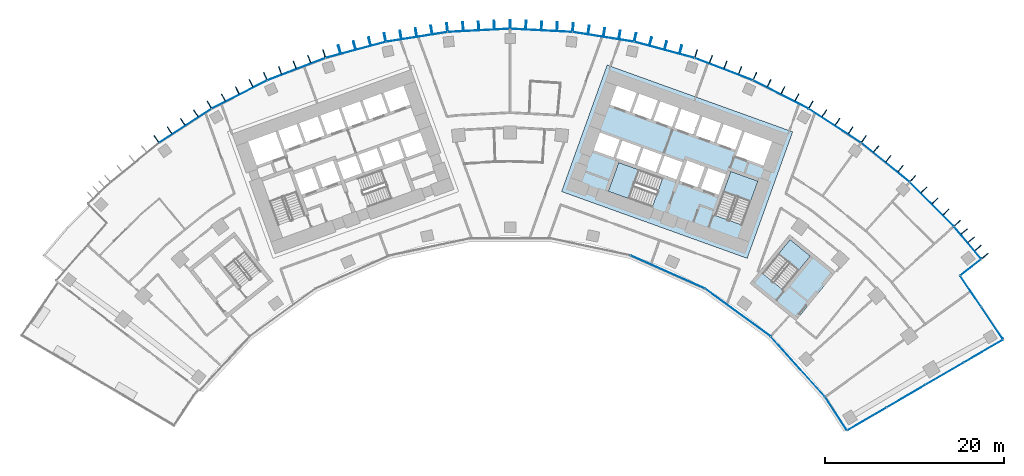
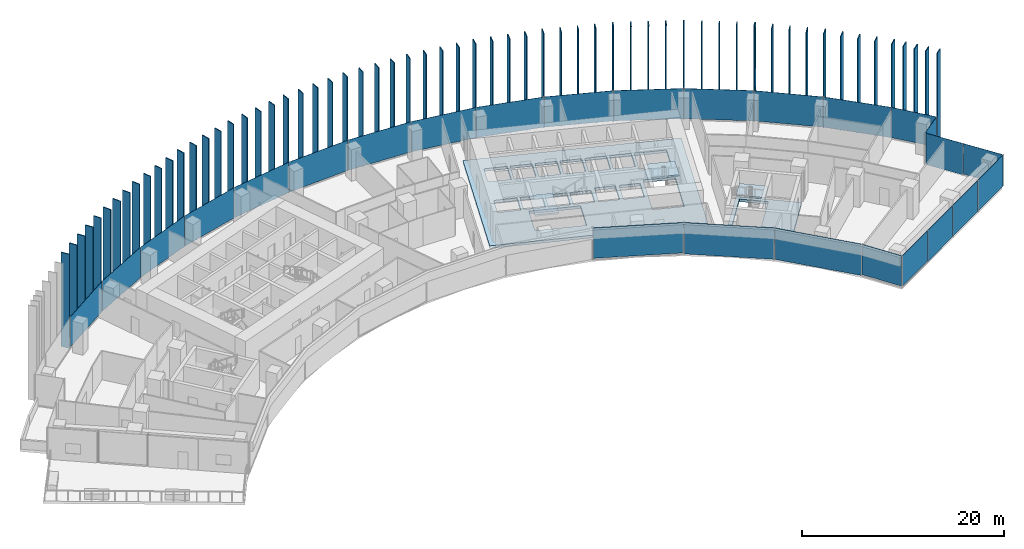
# One storey, part 13 of 21: 87 plates, 5 slabs, 8 elements without a shape of their own.
"""IFC4 building model written with IfcOpenShell, lengths in metres."""

from ifc_helpers import new_model, si_unit, direction, frame, origin, origin_2d, place, context, subcontext, project, spatial, polyline, rectangle, outline, extrude, material, layer, layer_set, type_object, element, aggregate, save


model = new_model("IFC4")

# Units and contexts
model_context = context("Model", 3, precision=1e-05, world=origin(), true_north=direction((0.0, 1.0)))
body_context = subcontext(model_context, "Body", "Model", "MODEL_VIEW")
ifc_project = project(units=[si_unit("LENGTHUNIT", "METRE"), si_unit("AREAUNIT", "SQUARE_METRE"), si_unit("VOLUMEUNIT", "CUBIC_METRE"), si_unit("PLANEANGLEUNIT", "RADIAN"), si_unit("MASSUNIT", "GRAM", prefix="KILO")], contexts=[model_context])

# Site, building, storey
site_placement = place(None, origin())
site = spatial("IfcSite", under=ifc_project, at=site_placement, CompositionType="ELEMENT")
building_placement = place(site_placement, origin())
building = spatial("IfcBuilding", under=site, at=building_placement, Name="Stone Belt Terrace Tower", CompositionType="ELEMENT")
storey_placement = place(building_placement, frame((0.0, 0.0, 87.0)))
storey = spatial("IfcBuildingStorey", under=building, at=storey_placement, Name="L20", CompositionType="ELEMENT", Elevation=87.0)

# Curtain wall, plates
ifc_material_1 = material(Name="Aluminium 6063-T6 anodised frame", Category="aluminium")
ifc_layer_1 = layer(ifc_material_1, 0.14990234375)
ifc_layer_set_1 = layer_set([ifc_layer_1], Name="CW-A unitised convex-face curtain wall")
curtain_wall_type_1 = type_object("IfcCurtainWallType", Name="CW-A unitised convex-face curtain wall", PredefinedType="NOTDEFINED", material=ifc_layer_set_1)
curtain_wall_1_placement = place(storey_placement, origin())
curtain_wall_1 = element("IfcCurtainWall", 1, at=curtain_wall_1_placement, inside=storey, type_object=curtain_wall_type_1, Name="CW-A convex face L20", PredefinedType="NOTDEFINED")
ifc_material_2 = material(Name="Clear double glazed unit")
ifc_layer_2 = layer(ifc_material_2, 0.031982421875)
ifc_layer_set_2 = layer_set([ifc_layer_2], Name="CW-A glass panel 32")
plate_type_1 = type_object("IfcPlateType", Name="CW-A glass panel 32", PredefinedType="CURTAIN_PANEL", material=ifc_layer_set_2)
plate_1_placement = place(storey_placement, frame((50.993896484375, 42.73583984375, 0.14013671875), z_axis=(0.0, 0.0, 1.0), x_axis=(-0.642509184121, 0.766277983711, 0.0)))
plate_1 = element("IfcPlate", 2, at=plate_1_placement, type_object=plate_type_1, Name="CW-A panel 1.1", PredefinedType="CURTAIN_PANEL", context=body_context, shape_type="SweptSolid", body=[
    extrude(rectangle(XDim=4.662841796875, YDim=0.031982421875, at=origin_2d()), origin(), (0.0, 0.0, 1.0), 3.659912109375),
])
plate_2_placement = place(storey_placement, frame((47.01123046875, 47.01123046875, 0.14013671875), z_axis=(0.0, 0.0, 1.0), x_axis=(-0.707106781187, 0.707106781187, 0.0)))
plate_2 = element("IfcPlate", 3, at=plate_2_placement, type_object=plate_type_1, Name="CW-A panel 2.1", PredefinedType="CURTAIN_PANEL", context=body_context, shape_type="SweptSolid", body=[
    extrude(rectangle(XDim=6.90087890625, YDim=0.031982421875, at=origin_2d()), origin(), (0.0, 0.0, 1.0), 3.659912109375),
])
plate_3_placement = place(storey_placement, frame((41.839599609375, 51.667724609375, 0.14013671875), z_axis=(0.0, 0.0, 1.0), x_axis=(-0.777145961457, 0.62932039105, 0.0)))
plate_3 = element("IfcPlate", 4, at=plate_3_placement, type_object=plate_type_1, Name="CW-A panel 3.1", PredefinedType="CURTAIN_PANEL", context=body_context, shape_type="SweptSolid", body=[
    extrude(rectangle(XDim=6.90087890625, YDim=0.031982421875, at=origin_2d()), origin(), (0.0, 0.0, 1.0), 3.659912109375),
])
plate_4_placement = place(storey_placement, frame((36.209716796875, 55.758056640625, 0.14013671875), z_axis=(0.0, 0.0, 1.0), x_axis=(-0.838670567945, 0.544639035015, 0.0)))
plate_4 = element("IfcPlate", 5, at=plate_4_placement, type_object=plate_type_1, Name="CW-A panel 4.1", PredefinedType="CURTAIN_PANEL", context=body_context, shape_type="SweptSolid", body=[
    extrude(rectangle(XDim=6.90087890625, YDim=0.031982421875, at=origin_2d()), origin(), (0.0, 0.0, 1.0), 3.659912109375),
])
plate_5_placement = place(storey_placement, frame((30.18310546875, 59.237548828125, 0.14013671875), z_axis=(0.0, 0.0, 1.0), x_axis=(-0.891006524188, 0.45399049974, 0.0)))
plate_5 = element("IfcPlate", 6, at=plate_5_placement, type_object=plate_type_1, Name="CW-A panel 5.1", PredefinedType="CURTAIN_PANEL", context=body_context, shape_type="SweptSolid", body=[
    extrude(rectangle(XDim=6.90087890625, YDim=0.031982421875, at=origin_2d()), origin(), (0.0, 0.0, 1.0), 3.659912109375),
])
plate_6_placement = place(storey_placement, frame((23.82568359375, 62.068115234375, 0.14013671875), z_axis=(0.0, 0.0, 1.0), x_axis=(-0.933580426497, 0.358367949545, 0.0)))
plate_6 = element("IfcPlate", 7, at=plate_6_placement, type_object=plate_type_1, Name="CW-A panel 6.1", PredefinedType="CURTAIN_PANEL", context=body_context, shape_type="SweptSolid", body=[
    extrude(rectangle(XDim=6.90087890625, YDim=0.031982421875, at=origin_2d()), origin(), (0.0, 0.0, 1.0), 3.659912109375),
])
plate_7_placement = place(storey_placement, frame((17.207275390625, 64.218505859375, 0.14013671875), z_axis=(0.0, 0.0, 1.0), x_axis=(-0.965925826289, 0.258819045103, 0.0)))
plate_7 = element("IfcPlate", 8, at=plate_7_placement, type_object=plate_type_1, Name="CW-A panel 7.1", PredefinedType="CURTAIN_PANEL", context=body_context, shape_type="SweptSolid", body=[
    extrude(rectangle(XDim=6.90087890625, YDim=0.031982421875, at=origin_2d()), origin(), (0.0, 0.0, 1.0), 3.659912109375),
])
plate_8_placement = place(storey_placement, frame((10.400390625, 65.665283203125, 0.14013671875), z_axis=(0.0, 0.0, 1.0), x_axis=(-0.987688340595, 0.15643446504, 0.0)))
plate_8 = element("IfcPlate", 9, at=plate_8_placement, type_object=plate_type_1, Name="CW-A panel 8.1", PredefinedType="CURTAIN_PANEL", context=body_context, shape_type="SweptSolid", body=[
    extrude(rectangle(XDim=6.90087890625, YDim=0.031982421875, at=origin_2d()), origin(), (0.0, 0.0, 1.0), 3.659912109375),
])
plate_9_placement = place(storey_placement, frame((3.4794921875, 66.392822265625, 0.14013671875), z_axis=(0.0, 0.0, 1.0), x_axis=(-0.998629534755, 0.052335956243, 0.0)))
plate_9 = element("IfcPlate", 10, at=plate_9_placement, type_object=plate_type_1, Name="CW-A panel 9.1", PredefinedType="CURTAIN_PANEL", context=body_context, shape_type="SweptSolid", body=[
    extrude(rectangle(XDim=6.90087890625, YDim=0.031982421875, at=origin_2d()), origin(), (0.0, 0.0, 1.0), 3.659912109375),
])
plate_10_placement = place(storey_placement, frame((-3.4794921875, 66.392822265625, 0.14013671875), z_axis=(0.0, 0.0, 1.0), x_axis=(-0.998629534755, -0.052335956243, 0.0)))
plate_10 = element("IfcPlate", 11, at=plate_10_placement, type_object=plate_type_1, Name="CW-A panel 10.1", PredefinedType="CURTAIN_PANEL", context=body_context, shape_type="SweptSolid", body=[
    extrude(rectangle(XDim=6.90087890625, YDim=0.031982421875, at=origin_2d()), origin(), (0.0, 0.0, 1.0), 3.659912109375),
])
plate_11_placement = place(storey_placement, frame((-10.400390625, 65.665283203125, 0.14013671875), z_axis=(0.0, 0.0, 1.0), x_axis=(-0.987688340595, -0.15643446504, 0.0)))
plate_11 = element("IfcPlate", 12, at=plate_11_placement, type_object=plate_type_1, Name="CW-A panel 11.1", PredefinedType="CURTAIN_PANEL", context=body_context, shape_type="SweptSolid", body=[
    extrude(rectangle(XDim=6.90087890625, YDim=0.031982421875, at=origin_2d()), origin(), (0.0, 0.0, 1.0), 3.659912109375),
])
plate_12_placement = place(storey_placement, frame((-17.207275390625, 64.218505859375, 0.14013671875), z_axis=(0.0, 0.0, 1.0), x_axis=(-0.965925826289, -0.258819045103, 0.0)))
plate_12 = element("IfcPlate", 13, at=plate_12_placement, type_object=plate_type_1, Name="CW-A panel 12.1", PredefinedType="CURTAIN_PANEL", context=body_context, shape_type="SweptSolid", body=[
    extrude(rectangle(XDim=6.90087890625, YDim=0.031982421875, at=origin_2d()), origin(), (0.0, 0.0, 1.0), 3.659912109375),
])
plate_13_placement = place(storey_placement, frame((-23.82568359375, 62.068115234375, 0.14013671875), z_axis=(0.0, 0.0, 1.0), x_axis=(-0.933580426497, -0.358367949545, 0.0)))
plate_13 = element("IfcPlate", 14, at=plate_13_placement, type_object=plate_type_1, Name="CW-A panel 13.1", PredefinedType="CURTAIN_PANEL", context=body_context, shape_type="SweptSolid", body=[
    extrude(rectangle(XDim=6.90087890625, YDim=0.031982421875, at=origin_2d()), origin(), (0.0, 0.0, 1.0), 3.659912109375),
])
plate_14_placement = place(storey_placement, frame((-30.18310546875, 59.237548828125, 0.14013671875), z_axis=(0.0, 0.0, 1.0), x_axis=(-0.891006524188, -0.45399049974, 0.0)))
plate_14 = element("IfcPlate", 15, at=plate_14_placement, type_object=plate_type_1, Name="CW-A panel 14.1", PredefinedType="CURTAIN_PANEL", context=body_context, shape_type="SweptSolid", body=[
    extrude(rectangle(XDim=6.90087890625, YDim=0.031982421875, at=origin_2d()), origin(), (0.0, 0.0, 1.0), 3.659912109375),
])
plate_15_placement = place(storey_placement, frame((-36.209716796875, 55.758056640625, 0.14013671875), z_axis=(0.0, 0.0, 1.0), x_axis=(-0.838670567945, -0.544639035015, 0.0)))
plate_15 = element("IfcPlate", 16, at=plate_15_placement, type_object=plate_type_1, Name="CW-A panel 15.1", PredefinedType="CURTAIN_PANEL", context=body_context, shape_type="SweptSolid", body=[
    extrude(rectangle(XDim=6.90087890625, YDim=0.031982421875, at=origin_2d()), origin(), (0.0, 0.0, 1.0), 3.659912109375),
])
aggregate(curtain_wall_1, [plate_1, plate_2, plate_3, plate_4, plate_5, plate_6, plate_7, plate_8, plate_9, plate_10, plate_11, plate_12, plate_13, plate_14, plate_15])

ifc_layer_3 = layer(ifc_material_1, 0.14990234375)
ifc_layer_set_3 = layer_set([ifc_layer_3], Name="CW-B unitised concave-face curtain wall")
curtain_wall_type_2 = type_object("IfcCurtainWallType", Name="CW-B unitised concave-face curtain wall", PredefinedType="NOTDEFINED", material=ifc_layer_set_3)
curtain_wall_2_placement = place(storey_placement, origin())
curtain_wall_2 = element("IfcCurtainWall", 17, at=curtain_wall_2_placement, inside=storey, type_object=curtain_wall_type_2, Name="CW-B concave face L20", PredefinedType="NOTDEFINED")
ifc_layer_4 = layer(ifc_material_2, 0.030029296875)
ifc_layer_set_4 = layer_set([ifc_layer_4], Name="CW-B glass panel 30")
plate_type_2 = type_object("IfcPlateType", Name="CW-B glass panel 30", PredefinedType="CURTAIN_PANEL", material=ifc_layer_set_4)
plate_16_placement = place(storey_placement, frame((17.565673828125, 39.453125, 0.1201171875), z_axis=(0.0, 0.0, 1.0), x_axis=(0.913545457643, -0.406736643076, 0.0)))
plate_16 = element("IfcPlate", 18, at=plate_16_placement, type_object=plate_type_2, Name="CW-B panel 7.1", PredefinedType="CURTAIN_PANEL", context=body_context, shape_type="SweptSolid", body=[
    extrude(rectangle(XDim=9.0126953125, YDim=0.030029296875, at=origin_2d()), origin(), (0.0, 0.0, 1.0), 3.679931640625),
])
plate_17_placement = place(storey_placement, frame((25.384521484375, 34.938720703125, 0.0), z_axis=(0.0, 0.0, 1.0), x_axis=(0.809016994375, -0.587785252292, 0.0)))
plate_17 = element("IfcPlate", 19, at=plate_17_placement, type_object=plate_type_2, Name="CW-B panel 8.1", PredefinedType="CURTAIN_PANEL", context=body_context, shape_type="SweptSolid", body=[
    extrude(rectangle(XDim=9.0126953125, YDim=0.030029296875, at=origin_2d()), origin(), (0.0, 0.0, 1.0), 3.800048828125),
])
plate_18_placement = place(storey_placement, frame((32.09521484375, 28.89599609375, 0.0), z_axis=(0.0, 0.0, 1.0), x_axis=(0.669130606359, -0.743144825477, 0.0)))
plate_18 = element("IfcPlate", 20, at=plate_18_placement, type_object=plate_type_2, Name="CW-B panel 9.1", PredefinedType="CURTAIN_PANEL", context=body_context, shape_type="SweptSolid", body=[
    extrude(rectangle(XDim=9.016845703125, YDim=0.030029296875, at=origin_2d()), origin(), (0.0, 0.0, 1.0), 3.800048828125),
])
plate_19_placement = place(storey_placement, frame((36.3408203125, 23.66943359375, 0.1201171875), z_axis=(0.0, 0.0, 1.0), x_axis=(0.546131502436, -0.837699458068, 0.0)))
plate_19 = element("IfcPlate", 21, at=plate_19_placement, type_object=plate_type_2, Name="CW-B panel 10.1", PredefinedType="CURTAIN_PANEL", context=body_context, shape_type="SweptSolid", body=[
    extrude(rectangle(XDim=4.363525390625, YDim=0.030029296875, at=origin_2d()), origin(), (0.0, 0.0, 1.0), 3.679931640625),
])
aggregate(curtain_wall_2, [plate_16, plate_17, plate_18, plate_19])

ifc_layer_5 = layer(ifc_material_1, 0.14990234375)
ifc_layer_set_5 = layer_set([ifc_layer_5], Name="CW-C stick curtain wall, horn ends and notches")
curtain_wall_type_3 = type_object("IfcCurtainWallType", Name="CW-C stick curtain wall, horn ends and notches", PredefinedType="NOTDEFINED", material=ifc_layer_set_5)
curtain_wall_3_placement = place(storey_placement, origin())
curtain_wall_3 = element("IfcCurtainWall", 22, at=curtain_wall_3_placement, inside=storey, type_object=curtain_wall_type_3, Name="CW-C end face L20", PredefinedType="NOTDEFINED")
ifc_layer_6 = layer(ifc_material_2, 0.028076171875)
ifc_layer_set_6 = layer_set([ifc_layer_6], Name="CW-C glass panel 28")
plate_type_3 = type_object("IfcPlateType", Name="CW-C glass panel 28", PredefinedType="CURTAIN_PANEL", material=ifc_layer_set_6)
plate_20_placement = place(storey_placement, frame((39.78076171875, 23.06982421875, 0.1201171875), z_axis=(0.0, 0.0, 1.0), x_axis=(0.864239322284, 0.503080901861, 0.0)))
plate_20 = element("IfcPlate", 23, at=plate_20_placement, type_object=plate_type_3, Name="CW-C panel 1.1", PredefinedType="CURTAIN_PANEL", context=body_context, shape_type="SweptSolid", body=[
    extrude(rectangle(XDim=4.9677734375, YDim=0.028076171875, at=origin_2d()), origin(), (0.0, 0.0, 1.0), 3.679931640625),
])
plate_21_placement = place(storey_placement, frame((44.114013671875, 25.59228515625, 0.0), z_axis=(0.0, 0.0, 1.0), x_axis=(0.864239322284, 0.503080901861, 0.0)))
plate_21 = element("IfcPlate", 24, at=plate_21_placement, type_object=plate_type_3, Name="CW-C panel 2.1", PredefinedType="CURTAIN_PANEL", context=body_context, shape_type="SweptSolid", body=[
    extrude(rectangle(XDim=4.93994140625, YDim=0.028076171875, at=origin_2d()), origin(), (0.0, 0.0, 1.0), 3.800048828125),
])
plate_22_placement = place(storey_placement, frame((48.43505859375, 28.107666015625, 0.0), z_axis=(0.0, 0.0, 1.0), x_axis=(0.864239322284, 0.503080901861, 0.0)))
plate_22 = element("IfcPlate", 25, at=plate_22_placement, type_object=plate_type_3, Name="CW-C panel 3.1", PredefinedType="CURTAIN_PANEL", context=body_context, shape_type="SweptSolid", body=[
    extrude(rectangle(XDim=4.93994140625, YDim=0.028076171875, at=origin_2d()), origin(), (0.0, 0.0, 1.0), 3.800048828125),
])
plate_23_placement = place(storey_placement, frame((52.771484375, 30.6318359375, 0.0), z_axis=(0.0, 0.0, 1.0), x_axis=(0.864239322284, 0.503080901861, 0.0)))
plate_23 = element("IfcPlate", 26, at=plate_23_placement, type_object=plate_type_3, Name="CW-C panel 4.1", PredefinedType="CURTAIN_PANEL", context=body_context, shape_type="SweptSolid", body=[
    extrude(rectangle(XDim=4.974853515625, YDim=0.028076171875, at=origin_2d()), origin(), (0.0, 0.0, 1.0), 3.800048828125),
])
aggregate(curtain_wall_3, [plate_20, plate_21, plate_22, plate_23])

curtain_wall_4_placement = place(storey_placement, origin())
curtain_wall_4 = element("IfcCurtainWall", 27, at=curtain_wall_4_placement, inside=storey, type_object=curtain_wall_type_3, Name="CW-C notch face L20", PredefinedType="NOTDEFINED")
plate_24_placement = place(storey_placement, frame((53.748046875, 33.751220703125, 0.1201171875), z_axis=(0.0, 0.0, 1.0), x_axis=(-0.560367245622, 0.828244257471, 0.0)))
plate_24 = element("IfcPlate", 28, at=plate_24_placement, type_object=plate_type_3, Name="CW-C panel 1.1", PredefinedType="CURTAIN_PANEL", context=body_context, shape_type="SweptSolid", body=[
    extrude(rectangle(XDim=4.268798828125, YDim=0.028076171875, at=origin_2d()), origin(), (0.0, 0.0, 1.0), 3.679931640625),
])
plate_25_placement = place(storey_placement, frame((51.364013671875, 37.275146484375, 0.0), z_axis=(0.0, 0.0, 1.0), x_axis=(-0.560367245622, 0.828244257471, 0.0)))
plate_25 = element("IfcPlate", 29, at=plate_25_placement, type_object=plate_type_3, Name="CW-C panel 2.1", PredefinedType="CURTAIN_PANEL", context=body_context, shape_type="SweptSolid", body=[
    extrude(rectangle(XDim=4.12060546875, YDim=0.028076171875, at=origin_2d()), origin(), (0.0, 0.0, 1.0), 3.800048828125),
])
aggregate(curtain_wall_4, [plate_24, plate_25])

# Curtain wall, plate
curtain_wall_5_placement = place(storey_placement, origin())
curtain_wall_5 = element("IfcCurtainWall", 30, at=curtain_wall_5_placement, inside=storey, type_object=curtain_wall_type_3, Name="CW-C notch face L20", PredefinedType="NOTDEFINED")
plate_26_placement = place(storey_placement, frame((51.353515625, 39.966552734375, 0.1201171875), z_axis=(0.0, 0.0, 1.0), x_axis=(0.788458012337, 0.615088581248, 0.0)))
plate_26 = element("IfcPlate", 31, at=plate_26_placement, type_object=plate_type_3, Name="CW-C panel 1.1", PredefinedType="CURTAIN_PANEL", context=body_context, shape_type="SweptSolid", body=[
    extrude(rectangle(XDim=2.859619140625, YDim=0.028076171875, at=origin_2d()), origin(), (0.0, 0.0, 1.0), 3.679931640625),
])
aggregate(curtain_wall_5, [plate_26])

# Slabs
ifc_material_3 = material(Name="Concrete B40", Category="concrete")
ifc_layer_7 = layer(ifc_material_3, 0.320068359375)
ifc_layer_set_7 = layer_set([ifc_layer_7], Name="Core floor slab 320")
slab_type_1 = type_object("IfcSlabType", Name="Core floor slab 320", PredefinedType="FLOOR", material=ifc_layer_set_7)
slab_1_placement = place(storey_placement, frame((0.0, 0.0, -0.320068359375)))
element("IfcSlab", 32, at=slab_1_placement, inside=storey, type_object=slab_type_1, Name="Core B floor L20", PredefinedType="FLOOR", context=body_context, shape_type="SweptSolid", body=[
    extrude(outline(polyline([(26.43505859375, 40.968994140625), (31.513916015625, 55.0830078125), (10.81396484375, 62.531982421875), (5.735107421875, 48.4189453125), (26.43505859375, 40.968994140625)]), holes=[polyline([(12.10595703125, 51.652099609375), (16.998046875, 49.89208984375), (15.846923828125, 46.69189453125), (10.955078125, 48.452880859375), (12.10595703125, 51.652099609375)]), polyline([(19.239990234375, 51.68896484375), (18.5458984375, 49.760009765625), (16.52294921875, 50.488037109375), (17.217041015625, 52.4169921875), (19.239990234375, 51.68896484375)]), polyline([(16.239990234375, 50.589111328125), (14.169921875, 51.333984375), (14.864013671875, 53.262939453125), (16.93408203125, 52.51806640625), (16.239990234375, 50.589111328125)]), polyline([(14.58203125, 53.364990234375), (13.887939453125, 51.43603515625), (11.864990234375, 52.1640625), (11.847900390625, 52.116943359375), (11.801025390625, 52.134033203125), (12.511962890625, 54.110107421875), (14.58203125, 53.364990234375)]), polyline([(9.30810546875, 53.031005859375), (10.01904296875, 55.007080078125), (12.22998046875, 54.2109375), (11.51904296875, 52.235107421875), (9.30810546875, 53.031005859375)]), polyline([(16.743896484375, 58.485107421875), (18.81396484375, 57.739990234375), (18.052001953125, 55.623046875), (15.98193359375, 56.367919921875), (16.743896484375, 58.485107421875)]), polyline([(14.39111328125, 59.33203125), (16.4609375, 58.5869140625), (15.699951171875, 56.469970703125), (13.6298828125, 57.215087890625), (14.39111328125, 59.33203125)]), polyline([(11.89794921875, 60.22900390625), (14.10888671875, 59.43408203125), (13.346923828125, 57.31591796875), (11.135986328125, 58.112060546875), (11.89794921875, 60.22900390625)]), polyline([(25.85888671875, 44.68408203125), (22.847900390625, 45.76806640625), (24.60791015625, 50.659912109375), (27.618896484375, 49.575927734375), (25.85888671875, 44.68408203125)]), polyline([(21.27392578125, 48.778076171875), (22.0869140625, 51.035888671875), (24.06298828125, 50.324951171875), (23.25, 48.06689453125), (21.27392578125, 48.778076171875)]), polyline([(18.922119140625, 49.6240234375), (19.735107421875, 51.883056640625), (21.7109375, 51.1708984375), (20.89794921875, 48.9130859375), (18.922119140625, 49.6240234375)]), polyline([(29.2109375, 53.9990234375), (28.24609375, 51.31689453125), (25.18798828125, 52.41796875), (26.153076171875, 55.09912109375), (29.2109375, 53.9990234375)]), polyline([(23.801025390625, 55.946044921875), (25.87109375, 55.200927734375), (25.10888671875, 53.083984375), (23.0390625, 53.8291015625), (23.801025390625, 55.946044921875)]), polyline([(21.447998046875, 56.7919921875), (23.51806640625, 56.047119140625), (22.756103515625, 53.929931640625), (20.68603515625, 54.675048828125), (21.447998046875, 56.7919921875)]), polyline([(19.095947265625, 57.638916015625), (21.166015625, 56.89404296875), (20.404052734375, 54.777099609375), (18.333984375, 55.52197265625), (19.095947265625, 57.638916015625)])]), origin(), (0.0, 0.0, 1.0), 0.320068359375),
])
slab_2_placement = place(storey_placement, frame((0.0, 0.0, -0.320068359375)))
element("IfcSlab", 33, at=slab_2_placement, inside=storey, type_object=slab_type_1, Name="Exit stair ST3B floor L20", PredefinedType="FLOOR", context=body_context, shape_type="SweptSolid", body=[
    extrude(outline(polyline([(26.741943359375, 38.18408203125), (31.866943359375, 34.02392578125), (36.278076171875, 39.458984375), (31.154052734375, 43.618896484375), (26.741943359375, 38.18408203125)]), holes=[polyline([(30.407958984375, 37.462890625), (28.156005859375, 39.291015625), (31.2119140625, 43.055908203125), (33.464111328125, 41.22802734375), (30.407958984375, 37.462890625)])]), origin(), (0.0, 0.0, 1.0), 0.320068359375),
])

# Stair, slab
stair_type = type_object("IfcStairType", Name="Exit stair 1500", PredefinedType="HALF_TURN_STAIR", material=ifc_material_3)
stair_1_placement = place(storey_placement, origin())
stair_1 = element("IfcStair", 34, at=stair_1_placement, inside=storey, type_object=stair_type, Name="L20 Exit stair 1 core B", PredefinedType="HALF_TURN_STAIR")
ifc_layer_8 = layer(ifc_material_3, 0.199951171875)
ifc_layer_set_8 = layer_set([ifc_layer_8], Name="Stair landing 200")
slab_type_2 = type_object("IfcSlabType", Name="Stair landing 200", PredefinedType="LANDING", material=ifc_layer_set_8)
slab_3_placement = place(storey_placement, frame((0.0, 0.0, 1.699951171875)))
slab_3 = element("IfcSlab", 35, at=slab_3_placement, type_object=slab_type_2, Name="ST1B landing 1", PredefinedType="LANDING", context=body_context, shape_type="SweptSolid", body=[
    extrude(outline(polyline([(26.806396484375, 47.3173828125), (27.619384765625, 49.576171875), (24.6083984375, 50.659912109375), (23.79541015625, 48.40087890625), (26.806396484375, 47.3173828125)])), origin(), (0.0, 0.0, 1.0), 0.199951171875),
])
aggregate(stair_1, [slab_3])

stair_2_placement = place(storey_placement, origin())
stair_2 = element("IfcStair", 36, at=stair_2_placement, inside=storey, type_object=stair_type, Name="L20 Exit stair 2 core B", PredefinedType="HALF_TURN_STAIR")
slab_4_placement = place(storey_placement, frame((0.0, 0.0, 1.699951171875)))
slab_4 = element("IfcSlab", 37, at=slab_4_placement, type_object=slab_type_2, Name="ST2B landing 1", PredefinedType="LANDING", context=body_context, shape_type="SweptSolid", body=[
    extrude(outline(polyline([(14.36474609375, 50.839111328125), (12.10595703125, 51.652099609375), (10.95458984375, 48.453125), (13.213623046875, 47.64013671875), (14.36474609375, 50.839111328125)])), origin(), (0.0, 0.0, 1.0), 0.199951171875),
])
aggregate(stair_2, [slab_4])

stair_3_placement = place(storey_placement, origin())
stair_3 = element("IfcStair", 38, at=stair_3_placement, inside=storey, type_object=stair_type, Name="L20 Exit stair 3B", PredefinedType="HALF_TURN_STAIR")
slab_5_placement = place(storey_placement, frame((0.0, 0.0, 1.699951171875)))
slab_5 = element("IfcSlab", 39, at=slab_5_placement, type_object=slab_type_2, Name="ST3B landing 1", PredefinedType="LANDING", context=body_context, shape_type="SweptSolid", body=[
    extrude(outline(polyline([(32.17138671875, 39.635986328125), (33.4638671875, 41.228271484375), (31.21240234375, 43.055908203125), (29.919921875, 41.463623046875), (32.17138671875, 39.635986328125)])), origin(), (0.0, 0.0, 1.0), 0.199951171875),
])
aggregate(stair_3, [slab_5])

# Plates
ifc_material_4 = material(Name="Terracotta coloured glazed ceramic", Category="masonry")
ifc_layer_9 = layer(ifc_material_4, 0.10009765625)
ifc_layer_set_9 = layer_set([ifc_layer_9], Name="Terracotta fin 100 x 900")
plate_type_4 = type_object("IfcPlateType", Name="Terracotta fin 100 x 900", PredefinedType="SHEET", material=ifc_layer_set_9)
for number, where, z_axis, x_axis, name in (
    (40, (52.942138671875, 41.229248046875, 0.0), (0.0, 0.0, 1.0), (0.766277983711, 0.642509184121, 0.0), "FIN L20 1.1"),
    (41, (52.17578125, 42.143310546875, 0.0), (0.0, 0.0, 1.0), (0.766277983711, 0.642509184121, 0.0), "FIN L20 1.2"),
    (42, (51.409423828125, 43.057373046875, 0.0), (0.0, 0.0, 1.0), (0.766277983711, 0.642509184121, 0.0), "FIN L20 1.3"),
    (43, (50.64306640625, 43.97119140625, 0.0), (0.0, 0.0, 1.0), (0.766277983711, 0.642509184121, 0.0), "FIN L20 1.4"),
    (44, (49.861572265625, 44.902587890625, 0.0), (0.0, 0.0, 1.0), (0.737400080522, 0.675456231925, 0.0), "FIN L20 2.1"),
    (45, (48.614013671875, 46.15087890625, 0.0), (0.0, 0.0, 1.0), (0.707106781187, 0.707106781187, 0.0), "FIN L20 2.2"),
    (46, (47.382080078125, 47.382568359375, 0.0), (0.0, 0.0, 1.0), (0.707106781187, 0.707106781187, 0.0), "FIN L20 2.3"),
    (47, (46.150390625, 48.614501953125, 0.0), (0.0, 0.0, 1.0), (0.707106781187, 0.707106781187, 0.0), "FIN L20 2.4"),
    (48, (44.898681640625, 49.864990234375, 0.0), (0.0, 0.0, 1.0), (0.669130606359, 0.743144825477, 0.0), "FIN L20 3.1"),
    (49, (43.52392578125, 50.979248046875, 0.0), (0.0, 0.0, 1.0), (0.62932039105, 0.777145961457, 0.0), "FIN L20 3.2"),
    (50, (42.170166015625, 52.07568359375, 0.0), (0.0, 0.0, 1.0), (0.62932039105, 0.777145961457, 0.0), "FIN L20 3.3"),
    (51, (40.816162109375, 53.172119140625, 0.0), (0.0, 0.0, 1.0), (0.62932039105, 0.777145961457, 0.0), "FIN L20 3.4"),
    (52, (39.4404296875, 54.28515625, 0.0), (0.0, 0.0, 1.0), (0.587785252292, 0.809016994375, 0.0), "FIN L20 4.1"),
    (53, (37.956787109375, 55.24951171875, 0.0), (0.0, 0.0, 1.0), (0.544639035015, 0.838670567945, 0.0), "FIN L20 4.2"),
    (54, (36.49560546875, 56.1982421875, 0.0), (0.0, 0.0, 1.0), (0.544639035015, 0.838670567945, 0.0), "FIN L20 4.3"),
    (55, (35.03466796875, 57.147216796875, 0.0), (0.0, 0.0, 1.0), (0.544639035015, 0.838670567945, 0.0), "FIN L20 4.4"),
    (56, (33.550048828125, 58.1103515625, 0.0), (0.0, 0.0, 1.0), (0.5, 0.866025403784, 0.0), "FIN L20 5.1"),
    (57, (31.9736328125, 58.914306640625, 0.0), (0.0, 0.0, 1.0), (0.45399049974, 0.891006524188, 0.0), "FIN L20 5.2"),
    (58, (30.42138671875, 59.705322265625, 0.0), (0.0, 0.0, 1.0), (0.45399049974, 0.891006524188, 0.0), "FIN L20 5.3"),
    (59, (28.869140625, 60.496337890625, 0.0), (0.0, 0.0, 1.0), (0.45399049974, 0.891006524188, 0.0), "FIN L20 5.4"),
    (60, (27.2919921875, 61.299072265625, 0.0), (0.0, 0.0, 1.0), (0.406736643076, 0.913545457643, 0.0), "FIN L20 6.1"),
    (61, (25.64013671875, 61.933837890625, 0.0), (0.0, 0.0, 1.0), (0.358367949545, 0.933580426497, 0.0), "FIN L20 6.2"),
    (62, (24.013916015625, 62.55810546875, 0.0), (0.0, 0.0, 1.0), (0.358367949545, 0.933580426497, 0.0), "FIN L20 6.3"),
    (63, (22.387451171875, 63.182373046875, 0.0), (0.0, 0.0, 1.0), (0.358367949545, 0.933580426497, 0.0), "FIN L20 6.4"),
    (64, (20.735107421875, 63.81591796875, 0.0), (0.0, 0.0, 1.0), (0.309016994375, 0.951056516295, 0.0), "FIN L20 7.1"),
    (65, (19.02587890625, 64.274658203125, 0.0), (0.0, 0.0, 1.0), (0.258819045103, 0.965925826289, 0.0), "FIN L20 7.2"),
    (66, (17.34326171875, 64.7255859375, 0.0), (0.0, 0.0, 1.0), (0.258819045103, 0.965925826289, 0.0), "FIN L20 7.3"),
    (67, (15.660400390625, 65.176513671875, 0.0), (0.0, 0.0, 1.0), (0.258819045103, 0.965925826289, 0.0), "FIN L20 7.4"),
    (68, (13.950927734375, 65.6337890625, 0.0), (0.0, 0.0, 1.0), (0.207911690818, 0.978147600734, 0.0), "FIN L20 8.1"),
    (69, (12.203125, 65.911376953125, 0.0), (0.0, 0.0, 1.0), (0.15643446504, 0.987688340595, 0.0), "FIN L20 8.2"),
    (70, (10.482421875, 66.183837890625, 0.0), (0.0, 0.0, 1.0), (0.15643446504, 0.987688340595, 0.0), "FIN L20 8.3"),
    (71, (8.76171875, 66.456298828125, 0.0), (0.0, 0.0, 1.0), (0.15643446504, 0.987688340595, 0.0), "FIN L20 8.4"),
    (72, (7.013916015625, 66.732421875, 0.0), (0.0, 0.0, 1.0), (0.104528463268, 0.994521895368, 0.0), "FIN L20 9.1"),
    (73, (5.246826171875, 66.825927734375, 0.0), (0.0, 0.0, 1.0), (0.052335956243, 0.998629534755, 0.0), "FIN L20 9.2"),
    (74, (3.507080078125, 66.9169921875, 0.0), (0.0, 0.0, 1.0), (0.052335956243, 0.998629534755, 0.0), "FIN L20 9.3"),
    (75, (1.767333984375, 67.00830078125, 0.0), (0.0, 0.0, 1.0), (0.052335956243, 0.998629534755, 0.0), "FIN L20 9.4"),
    (76, (0.0, 67.10009765625, 0.0), (0.0, 0.0, 1.0), (0.0, 1.0, 0.0), "FIN L20 10.1"),
    (77, (-1.767333984375, 67.00830078125, 0.0), (0.0, 0.0, 1.0), (-0.052335956243, 0.998629534755, 0.0), "FIN L20 10.2"),
    (78, (-3.507080078125, 66.9169921875, 0.0), (0.0, 0.0, 1.0), (-0.052335956243, 0.998629534755, 0.0), "FIN L20 10.3"),
    (79, (-5.246826171875, 66.825927734375, 0.0), (0.0, 0.0, 1.0), (-0.052335956243, 0.998629534755, 0.0), "FIN L20 10.4"),
    (80, (-7.013916015625, 66.732421875, 0.0), (0.0, 0.0, 1.0), (-0.104528463268, 0.994521895368, 0.0), "FIN L20 11.1"),
    (81, (-8.76171875, 66.456298828125, 0.0), (0.0, 0.0, 1.0), (-0.15643446504, 0.987688340595, 0.0), "FIN L20 11.2"),
    (82, (-10.482421875, 66.183837890625, 0.0), (0.0, 0.0, 1.0), (-0.15643446504, 0.987688340595, 0.0), "FIN L20 11.3"),
    (83, (-12.203125, 65.911376953125, 0.0), (0.0, 0.0, 1.0), (-0.15643446504, 0.987688340595, 0.0), "FIN L20 11.4"),
    (84, (-13.950927734375, 65.6337890625, 0.0), (0.0, 0.0, 1.0), (-0.207911690818, 0.978147600734, 0.0), "FIN L20 12.1"),
    (85, (-15.660400390625, 65.176513671875, 0.0), (0.0, 0.0, 1.0), (-0.258819045103, 0.965925826289, 0.0), "FIN L20 12.2"),
    (86, (-17.34326171875, 64.7255859375, 0.0), (0.0, 0.0, 1.0), (-0.258819045103, 0.965925826289, 0.0), "FIN L20 12.3"),
    (87, (-19.02587890625, 64.274658203125, 0.0), (0.0, 0.0, 1.0), (-0.258819045103, 0.965925826289, 0.0), "FIN L20 12.4"),
    (88, (-20.735107421875, 63.81591796875, 0.0), (0.0, 0.0, 1.0), (-0.309016994375, 0.951056516295, 0.0), "FIN L20 13.1"),
    (89, (-22.387451171875, 63.182373046875, 0.0), (0.0, 0.0, 1.0), (-0.358367949545, 0.933580426497, 0.0), "FIN L20 13.2"),
    (90, (-24.013916015625, 62.55810546875, 0.0), (0.0, 0.0, 1.0), (-0.358367949545, 0.933580426497, 0.0), "FIN L20 13.3"),
    (91, (-25.64013671875, 61.933837890625, 0.0), (0.0, 0.0, 1.0), (-0.358367949545, 0.933580426497, 0.0), "FIN L20 13.4"),
    (92, (-27.2919921875, 61.299072265625, 0.0), (0.0, 0.0, 1.0), (-0.406736643076, 0.913545457643, 0.0), "FIN L20 14.1"),
    (93, (-28.869140625, 60.496337890625, 0.0), (0.0, 0.0, 1.0), (-0.45399049974, 0.891006524188, 0.0), "FIN L20 14.2"),
    (94, (-30.42138671875, 59.705322265625, 0.0), (0.0, 0.0, 1.0), (-0.45399049974, 0.891006524188, 0.0), "FIN L20 14.3"),
    (95, (-31.9736328125, 58.914306640625, 0.0), (0.0, 0.0, 1.0), (-0.45399049974, 0.891006524188, 0.0), "FIN L20 14.4"),
    (96, (-33.550048828125, 58.1103515625, 0.0), (0.0, 0.0, 1.0), (-0.5, 0.866025403784, 0.0), "FIN L20 15.1"),
    (97, (-35.03466796875, 57.147216796875, 0.0), (0.0, 0.0, 1.0), (-0.544639035015, 0.838670567945, 0.0), "FIN L20 15.2"),
    (98, (-36.49560546875, 56.1982421875, 0.0), (0.0, 0.0, 1.0), (-0.544639035015, 0.838670567945, 0.0), "FIN L20 15.3"),
    (99, (-37.956787109375, 55.24951171875, 0.0), (0.0, 0.0, 1.0), (-0.544639035015, 0.838670567945, 0.0), "FIN L20 15.4"),
    (100, (-39.4404296875, 54.28515625, 0.0), (0.0, 0.0, 1.0), (-0.587785252292, 0.809016994375, 0.0), "FIN L20 16.1"),
):
    element("IfcPlate", number, at=place(storey_placement, frame(where, z_axis=z_axis, x_axis=x_axis)), inside=storey, type_object=plate_type_4, Name=name, PredefinedType="SHEET", context=body_context, shape_type="SweptSolid", body=[
        extrude(rectangle(XDim=0.89990234375, YDim=0.10009765625, at=origin_2d()), origin(), (0.0, 0.0, 1.0), 11.39990234375),
    ])

save(model, "model.ifc")
